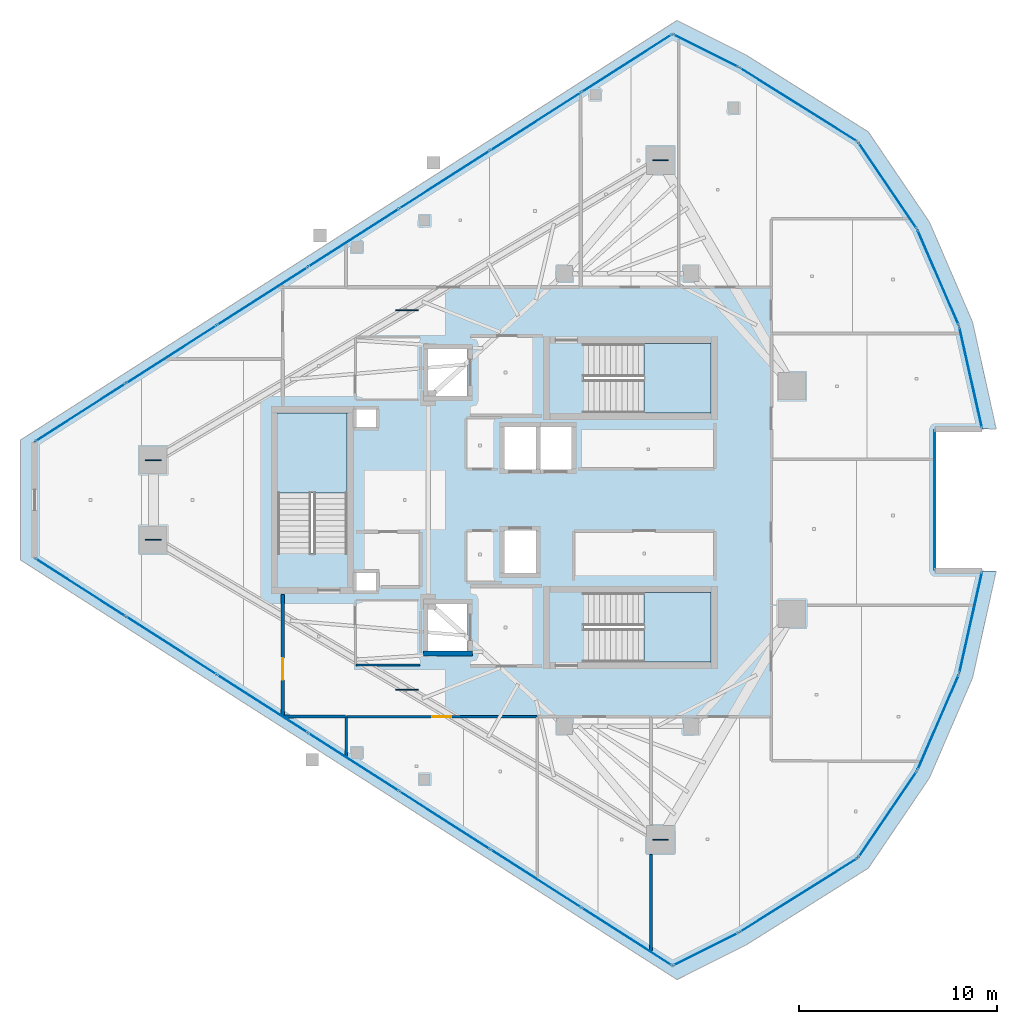
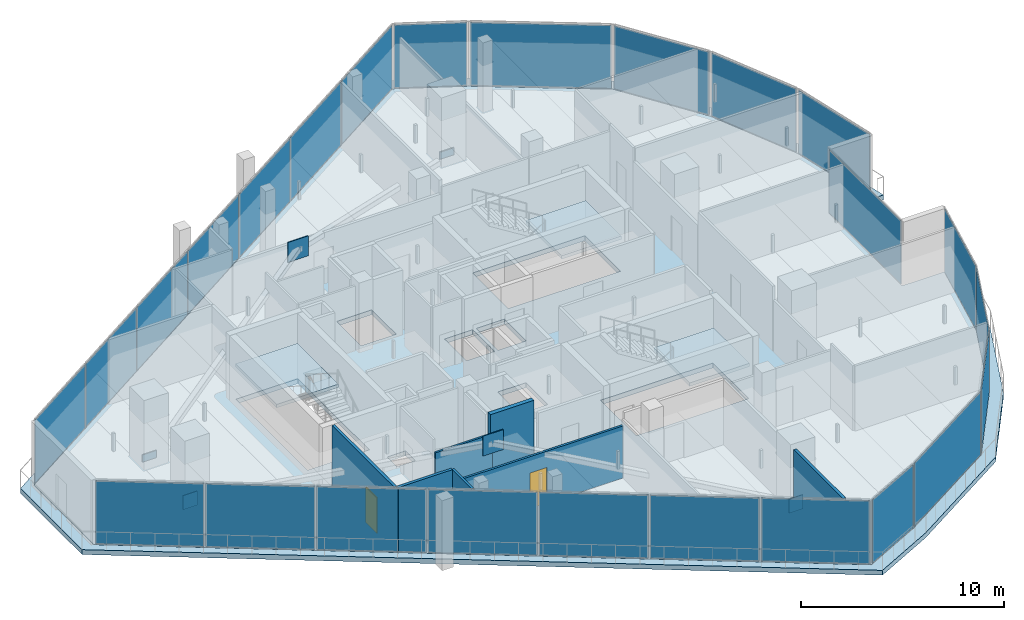
# One storey, part 20 of 30: 31 plates, 7 walls, 5 slabs, 2 doors, 2 openings, 16 elements without a shape of their own.
"""IFC4 building model written with IfcOpenShell, lengths in metres."""

from ifc_helpers import new_model, si_unit, direction, frame, frame_2d, origin, origin_2d, place, context, subcontext, project, spatial, polyline, rectangle, outline, extrude, material, layer, layer_set, type_object, element, fill, aggregate, save


model = new_model("IFC4")

# Units and contexts
model_context = context("Model", 3, precision=1e-05, world=origin(), true_north=direction((0.0, 1.0)))
body_context = subcontext(model_context, "Body", "Model", "MODEL_VIEW")
ifc_project = project(units=[si_unit("LENGTHUNIT", "METRE"), si_unit("AREAUNIT", "SQUARE_METRE"), si_unit("VOLUMEUNIT", "CUBIC_METRE"), si_unit("PLANEANGLEUNIT", "RADIAN"), si_unit("MASSUNIT", "GRAM", prefix="KILO")], contexts=[model_context])

# Site, building, storey
site_placement = place(None, origin())
site = spatial("IfcSite", under=ifc_project, at=site_placement, CompositionType="ELEMENT")
building_placement = place(site_placement, origin())
building = spatial("IfcBuilding", under=site, at=building_placement, Name="Qorvath Tower", CompositionType="ELEMENT")
storey_placement = place(building_placement, frame((0.0, 0.0, 289.199951171875)))
storey = spatial("IfcBuildingStorey", under=building, at=storey_placement, Name="L67", CompositionType="ELEMENT", Elevation=289.199951171875)

# Curtain wall, plates
ifc_material_1 = material(Name="Anodised aluminium and triple low-E glass", Category="aluminium")
ifc_layer_1 = layer(ifc_material_1, 0.179931640625)
ifc_layer_set_1 = layer_set([ifc_layer_1], Name="CW-SYS-5")
curtain_wall_type = type_object("IfcCurtainWallType", Name="CW-SYS-5", PredefinedType="NOTDEFINED", material=ifc_layer_set_1)
curtain_wall_1_placement = place(storey_placement, origin())
curtain_wall_1 = element("IfcCurtainWall", 1, at=curtain_wall_1_placement, inside=storey, type_object=curtain_wall_type, Name="Curtain Wall CW-5 CW-T-L67-2.1", PredefinedType="NOTDEFINED")
ifc_material_2 = material(Name="Acoustic laminated low-E glass", Category="glass")
ifc_layer_2 = layer(ifc_material_2, 0.0380859375)
ifc_layer_set_2 = layer_set([ifc_layer_2], Name="CWP-GLZ-38")
plate_type_1 = type_object("IfcPlateType", Name="CWP-GLZ-38", PredefinedType="CURTAIN_PANEL", material=ifc_layer_set_2)
plate_1_placement = place(storey_placement, frame((-48.08642578125, -4.428466796875, 0.06494140625), z_axis=(0.0, 0.0, 1.0), x_axis=(0.842601944042, -0.538536873294, 0.0)))
plate_1 = element("IfcPlate", 2, at=plate_1_placement, type_object=plate_type_1, Name="CW-5 panel 1.1", PredefinedType="CURTAIN_PANEL", context=body_context, shape_type="SweptSolid", body=[
    extrude(rectangle(XDim=5.357177734375, YDim=0.0380859375, at=origin_2d()), origin(), (0.0, 0.0, 1.0), 3.780029296875),
])
plate_2_placement = place(storey_placement, frame((-43.493408203125, -7.364013671875, 0.06494140625), z_axis=(0.0, 0.0, 1.0), x_axis=(0.842601944042, -0.538536873294, 0.0)))
plate_2 = element("IfcPlate", 3, at=plate_2_placement, type_object=plate_type_1, Name="CW-5 panel 2.1", PredefinedType="CURTAIN_PANEL", context=body_context, shape_type="SweptSolid", body=[
    extrude(rectangle(XDim=5.394775390625, YDim=0.0380859375, at=origin_2d()), origin(), (0.0, 0.0, 1.0), 3.780029296875),
])
plate_3_placement = place(storey_placement, frame((-38.884765625, -10.309814453125, 0.06494140625), z_axis=(0.0, 0.0, 1.0), x_axis=(0.842601944042, -0.538536873294, 0.0)))
plate_3 = element("IfcPlate", 4, at=plate_3_placement, type_object=plate_type_1, Name="CW-5 panel 3.1", PredefinedType="CURTAIN_PANEL", context=body_context, shape_type="SweptSolid", body=[
    extrude(rectangle(XDim=5.394775390625, YDim=0.0380859375, at=origin_2d()), origin(), (0.0, 0.0, 1.0), 3.780029296875),
])
plate_4_placement = place(storey_placement, frame((-34.27587890625, -13.25537109375, 0.06494140625), z_axis=(0.0, 0.0, 1.0), x_axis=(0.842601944042, -0.538536873294, 0.0)))
plate_4 = element("IfcPlate", 5, at=plate_4_placement, type_object=plate_type_1, Name="CW-5 panel 4.1", PredefinedType="CURTAIN_PANEL", context=body_context, shape_type="SweptSolid", body=[
    extrude(rectangle(XDim=5.394775390625, YDim=0.0380859375, at=origin_2d()), origin(), (0.0, 0.0, 1.0), 3.780029296875),
])
plate_5_placement = place(storey_placement, frame((-29.6669921875, -16.201171875, 0.06494140625), z_axis=(0.0, 0.0, 1.0), x_axis=(0.842601944042, -0.538536873294, 0.0)))
plate_5 = element("IfcPlate", 6, at=plate_5_placement, type_object=plate_type_1, Name="CW-5 panel 5.1", PredefinedType="CURTAIN_PANEL", context=body_context, shape_type="SweptSolid", body=[
    extrude(rectangle(XDim=5.394775390625, YDim=0.0380859375, at=origin_2d()), origin(), (0.0, 0.0, 1.0), 3.780029296875),
])
plate_6_placement = place(storey_placement, frame((-25.05810546875, -19.146728515625, 0.06494140625), z_axis=(0.0, 0.0, 1.0), x_axis=(0.842601944042, -0.538536873294, 0.0)))
plate_6 = element("IfcPlate", 7, at=plate_6_placement, type_object=plate_type_1, Name="CW-5 panel 6.1", PredefinedType="CURTAIN_PANEL", context=body_context, shape_type="SweptSolid", body=[
    extrude(rectangle(XDim=5.394775390625, YDim=0.0380859375, at=origin_2d()), origin(), (0.0, 0.0, 1.0), 3.780029296875),
])
plate_7_placement = place(storey_placement, frame((-20.465087890625, -22.082275390625, 0.06494140625), z_axis=(0.0, 0.0, 1.0), x_axis=(0.842601944042, -0.538536873294, 0.0)))
plate_7 = element("IfcPlate", 8, at=plate_7_placement, type_object=plate_type_1, Name="CW-5 panel 7.1", PredefinedType="CURTAIN_PANEL", context=body_context, shape_type="SweptSolid", body=[
    extrude(rectangle(XDim=5.357177734375, YDim=0.0380859375, at=origin_2d()), origin(), (0.0, 0.0, 1.0), 3.780029296875),
])
aggregate(curtain_wall_1, [plate_1, plate_2, plate_3, plate_4, plate_5, plate_6, plate_7])

# Curtain wall, plate
curtain_wall_2_placement = place(storey_placement, origin())
curtain_wall_2 = element("IfcCurtainWall", 9, at=curtain_wall_2_placement, inside=storey, type_object=curtain_wall_type, Name="Curtain Wall CW-5 CW-T-L67-3.1", PredefinedType="NOTDEFINED")
plate_8_placement = place(storey_placement, frame((-16.4619140625, -22.723388671875, 0.06494140625), z_axis=(0.0, 0.0, 1.0), x_axis=(0.894405935094, 0.447256104786, 0.0)))
plate_8 = element("IfcPlate", 10, at=plate_8_placement, type_object=plate_type_1, Name="CW-5 panel 1.1", PredefinedType="CURTAIN_PANEL", context=body_context, shape_type="SweptSolid", body=[
    extrude(rectangle(XDim=3.61376953125, YDim=0.0380859375, at=origin_2d()), origin(), (0.0, 0.0, 1.0), 3.780029296875),
])
aggregate(curtain_wall_2, [plate_8])

curtain_wall_3_placement = place(storey_placement, origin())
curtain_wall_3 = element("IfcCurtainWall", 11, at=curtain_wall_3_placement, inside=storey, type_object=curtain_wall_type, Name="Curtain Wall CW-5 CW-T-L67-4.1", PredefinedType="NOTDEFINED")
plate_9_placement = place(storey_placement, frame((-11.77099609375, -19.9951171875, 0.06494140625), z_axis=(0.0, 0.0, 1.0), x_axis=(0.847117347147, 0.531405871405, 0.0)))
plate_9 = element("IfcPlate", 12, at=plate_9_placement, type_object=plate_type_1, Name="CW-5 panel 1.1", PredefinedType="CURTAIN_PANEL", context=body_context, shape_type="SweptSolid", body=[
    extrude(rectangle(XDim=6.95068359375, YDim=0.0380859375, at=origin_2d()), origin(), (0.0, 0.0, 1.0), 3.780029296875),
])
aggregate(curtain_wall_3, [plate_9])

curtain_wall_4_placement = place(storey_placement, origin())
curtain_wall_4 = element("IfcCurtainWall", 13, at=curtain_wall_4_placement, inside=storey, type_object=curtain_wall_type, Name="Curtain Wall CW-5 CW-T-L67-5.1", PredefinedType="NOTDEFINED")
plate_10_placement = place(storey_placement, frame((-7.26513671875, -15.90283203125, 0.06494140625), z_axis=(0.0, 0.0, 1.0), x_axis=(0.561949374723, 0.82717162684, 0.0)))
plate_10 = element("IfcPlate", 14, at=plate_10_placement, type_object=plate_type_1, Name="CW-5 panel 1.1", PredefinedType="CURTAIN_PANEL", context=body_context, shape_type="SweptSolid", body=[
    extrude(rectangle(XDim=5.1826171875, YDim=0.0380859375, at=origin_2d()), origin(), (0.0, 0.0, 1.0), 3.780029296875),
])
aggregate(curtain_wall_4, [plate_10])

curtain_wall_5_placement = place(storey_placement, origin())
curtain_wall_5 = element("IfcCurtainWall", 15, at=curtain_wall_5_placement, inside=storey, type_object=curtain_wall_type, Name="Curtain Wall CW-5 CW-T-L67-6.1", PredefinedType="NOTDEFINED")
plate_11_placement = place(storey_placement, frame((-4.706787109375, -11.251220703125, 0.06494140625), z_axis=(0.0, 0.0, 1.0), x_axis=(0.397589543814, 0.917563379091, 0.0)))
plate_11 = element("IfcPlate", 16, at=plate_11_placement, type_object=plate_type_1, Name="CW-5 panel 1.1", PredefinedType="CURTAIN_PANEL", context=body_context, shape_type="SweptSolid", body=[
    extrude(rectangle(XDim=5.182373046875, YDim=0.0380859375, at=origin_2d()), origin(), (0.0, 0.0, 1.0), 3.780029296875),
])
aggregate(curtain_wall_5, [plate_11])

curtain_wall_6_placement = place(storey_placement, origin())
curtain_wall_6 = element("IfcCurtainWall", 17, at=curtain_wall_6_placement, inside=storey, type_object=curtain_wall_type, Name="Curtain Wall CW-5 CW-T-L67-7.1", PredefinedType="NOTDEFINED")
plate_12_placement = place(storey_placement, frame((-3.062255859375, -6.203369140625, 0.06494140625), z_axis=(0.0, 0.0, 1.0), x_axis=(0.21919937986, 0.975680086847, 0.0)))
plate_12 = element("IfcPlate", 18, at=plate_12_placement, type_object=plate_type_1, Name="CW-5 panel 1.1", PredefinedType="CURTAIN_PANEL", context=body_context, shape_type="SweptSolid", body=[
    extrude(rectangle(XDim=5.1826171875, YDim=0.0380859375, at=origin_2d()), origin(), (0.0, 0.0, 1.0), 3.780029296875),
])
aggregate(curtain_wall_6, [plate_12])

curtain_wall_7_placement = place(storey_placement, origin())
curtain_wall_7 = element("IfcCurtainWall", 19, at=curtain_wall_7_placement, inside=storey, type_object=curtain_wall_type, Name="Curtain Wall CW-5 CW-T-L67-9.1", PredefinedType="NOTDEFINED")
plate_13_placement = place(storey_placement, frame((-4.879150390625, 0.0, 0.06494140625), z_axis=(0.0, 0.0, 1.0), x_axis=(0.0, 1.0, 0.0)))
plate_13 = element("IfcPlate", 20, at=plate_13_placement, type_object=plate_type_1, Name="CW-5 panel 1.1", PredefinedType="CURTAIN_PANEL", context=body_context, shape_type="SweptSolid", body=[
    extrude(rectangle(XDim=7.0537109375, YDim=0.0380859375, at=origin_2d()), origin(), (0.0, 0.0, 1.0), 3.780029296875),
])
aggregate(curtain_wall_7, [plate_13])

curtain_wall_8_placement = place(storey_placement, origin())
curtain_wall_8 = element("IfcCurtainWall", 21, at=curtain_wall_8_placement, inside=storey, type_object=curtain_wall_type, Name="Curtain Wall CW-5 CW-T-L67-11.1", PredefinedType="NOTDEFINED")
plate_14_placement = place(storey_placement, frame((-3.062255859375, 6.203369140625, 0.06494140625), z_axis=(0.0, 0.0, 1.0), x_axis=(-0.21919937986, 0.975680086847, 0.0)))
plate_14 = element("IfcPlate", 22, at=plate_14_placement, type_object=plate_type_1, Name="CW-5 panel 1.1", PredefinedType="CURTAIN_PANEL", context=body_context, shape_type="SweptSolid", body=[
    extrude(rectangle(XDim=5.1826171875, YDim=0.0380859375, at=origin_2d()), origin(), (0.0, 0.0, 1.0), 3.780029296875),
])
aggregate(curtain_wall_8, [plate_14])

curtain_wall_9_placement = place(storey_placement, origin())
curtain_wall_9 = element("IfcCurtainWall", 23, at=curtain_wall_9_placement, inside=storey, type_object=curtain_wall_type, Name="Curtain Wall CW-5 CW-T-L67-12.1", PredefinedType="NOTDEFINED")
plate_15_placement = place(storey_placement, frame((-4.706787109375, 11.251220703125, 0.06494140625), z_axis=(0.0, 0.0, 1.0), x_axis=(-0.397589543814, 0.917563379091, 0.0)))
plate_15 = element("IfcPlate", 24, at=plate_15_placement, type_object=plate_type_1, Name="CW-5 panel 1.1", PredefinedType="CURTAIN_PANEL", context=body_context, shape_type="SweptSolid", body=[
    extrude(rectangle(XDim=5.182373046875, YDim=0.0380859375, at=origin_2d()), origin(), (0.0, 0.0, 1.0), 3.780029296875),
])
aggregate(curtain_wall_9, [plate_15])

curtain_wall_10_placement = place(storey_placement, origin())
curtain_wall_10 = element("IfcCurtainWall", 25, at=curtain_wall_10_placement, inside=storey, type_object=curtain_wall_type, Name="Curtain Wall CW-5 CW-T-L67-13.1", PredefinedType="NOTDEFINED")
plate_16_placement = place(storey_placement, frame((-7.26513671875, 15.90283203125, 0.06494140625), z_axis=(0.0, 0.0, 1.0), x_axis=(-0.561949374723, 0.82717162684, 0.0)))
plate_16 = element("IfcPlate", 26, at=plate_16_placement, type_object=plate_type_1, Name="CW-5 panel 1.1", PredefinedType="CURTAIN_PANEL", context=body_context, shape_type="SweptSolid", body=[
    extrude(rectangle(XDim=5.1826171875, YDim=0.0380859375, at=origin_2d()), origin(), (0.0, 0.0, 1.0), 3.780029296875),
])
aggregate(curtain_wall_10, [plate_16])

curtain_wall_11_placement = place(storey_placement, origin())
curtain_wall_11 = element("IfcCurtainWall", 27, at=curtain_wall_11_placement, inside=storey, type_object=curtain_wall_type, Name="Curtain Wall CW-5 CW-T-L67-14.1", PredefinedType="NOTDEFINED")
plate_17_placement = place(storey_placement, frame((-11.77099609375, 19.9951171875, 0.06494140625), z_axis=(0.0, 0.0, 1.0), x_axis=(-0.847117347147, 0.531405871405, 0.0)))
plate_17 = element("IfcPlate", 28, at=plate_17_placement, type_object=plate_type_1, Name="CW-5 panel 1.1", PredefinedType="CURTAIN_PANEL", context=body_context, shape_type="SweptSolid", body=[
    extrude(rectangle(XDim=6.95068359375, YDim=0.0380859375, at=origin_2d()), origin(), (0.0, 0.0, 1.0), 3.780029296875),
])
aggregate(curtain_wall_11, [plate_17])

curtain_wall_12_placement = place(storey_placement, origin())
curtain_wall_12 = element("IfcCurtainWall", 29, at=curtain_wall_12_placement, inside=storey, type_object=curtain_wall_type, Name="Curtain Wall CW-5 CW-T-L67-15.1", PredefinedType="NOTDEFINED")
plate_18_placement = place(storey_placement, frame((-16.4619140625, 22.723388671875, 0.06494140625), z_axis=(0.0, 0.0, 1.0), x_axis=(-0.894405935094, 0.447256104786, 0.0)))
plate_18 = element("IfcPlate", 30, at=plate_18_placement, type_object=plate_type_1, Name="CW-5 panel 1.1", PredefinedType="CURTAIN_PANEL", context=body_context, shape_type="SweptSolid", body=[
    extrude(rectangle(XDim=3.61376953125, YDim=0.0380859375, at=origin_2d()), origin(), (0.0, 0.0, 1.0), 3.780029296875),
])
aggregate(curtain_wall_12, [plate_18])

# Curtain wall, plates
curtain_wall_13_placement = place(storey_placement, origin())
curtain_wall_13 = element("IfcCurtainWall", 31, at=curtain_wall_13_placement, inside=storey, type_object=curtain_wall_type, Name="Curtain Wall CW-5 CW-T-L67-16.1", PredefinedType="NOTDEFINED")
plate_19_placement = place(storey_placement, frame((-20.465087890625, 22.082275390625, 0.06494140625), z_axis=(0.0, 0.0, 1.0), x_axis=(-0.842601944042, -0.538536873294, 0.0)))
plate_19 = element("IfcPlate", 32, at=plate_19_placement, type_object=plate_type_1, Name="CW-5 panel 1.1", PredefinedType="CURTAIN_PANEL", context=body_context, shape_type="SweptSolid", body=[
    extrude(rectangle(XDim=5.357177734375, YDim=0.0380859375, at=origin_2d()), origin(), (0.0, 0.0, 1.0), 3.780029296875),
])
plate_20_placement = place(storey_placement, frame((-25.05810546875, 19.146728515625, 0.06494140625), z_axis=(0.0, 0.0, 1.0), x_axis=(-0.842601944042, -0.538536873294, 0.0)))
plate_20 = element("IfcPlate", 33, at=plate_20_placement, type_object=plate_type_1, Name="CW-5 panel 2.1", PredefinedType="CURTAIN_PANEL", context=body_context, shape_type="SweptSolid", body=[
    extrude(rectangle(XDim=5.394775390625, YDim=0.0380859375, at=origin_2d()), origin(), (0.0, 0.0, 1.0), 3.780029296875),
])
plate_21_placement = place(storey_placement, frame((-29.6669921875, 16.201171875, 0.06494140625), z_axis=(0.0, 0.0, 1.0), x_axis=(-0.842601944042, -0.538536873294, 0.0)))
plate_21 = element("IfcPlate", 34, at=plate_21_placement, type_object=plate_type_1, Name="CW-5 panel 3.1", PredefinedType="CURTAIN_PANEL", context=body_context, shape_type="SweptSolid", body=[
    extrude(rectangle(XDim=5.394775390625, YDim=0.0380859375, at=origin_2d()), origin(), (0.0, 0.0, 1.0), 3.780029296875),
])
plate_22_placement = place(storey_placement, frame((-34.27587890625, 13.25537109375, 0.06494140625), z_axis=(0.0, 0.0, 1.0), x_axis=(-0.842601944042, -0.538536873294, 0.0)))
plate_22 = element("IfcPlate", 35, at=plate_22_placement, type_object=plate_type_1, Name="CW-5 panel 4.1", PredefinedType="CURTAIN_PANEL", context=body_context, shape_type="SweptSolid", body=[
    extrude(rectangle(XDim=5.394775390625, YDim=0.0380859375, at=origin_2d()), origin(), (0.0, 0.0, 1.0), 3.780029296875),
])
plate_23_placement = place(storey_placement, frame((-38.884765625, 10.309814453125, 0.06494140625), z_axis=(0.0, 0.0, 1.0), x_axis=(-0.842601944042, -0.538536873294, 0.0)))
plate_23 = element("IfcPlate", 36, at=plate_23_placement, type_object=plate_type_1, Name="CW-5 panel 5.1", PredefinedType="CURTAIN_PANEL", context=body_context, shape_type="SweptSolid", body=[
    extrude(rectangle(XDim=5.394775390625, YDim=0.0380859375, at=origin_2d()), origin(), (0.0, 0.0, 1.0), 3.780029296875),
])
plate_24_placement = place(storey_placement, frame((-43.493408203125, 7.364013671875, 0.06494140625), z_axis=(0.0, 0.0, 1.0), x_axis=(-0.842601944042, -0.538536873294, 0.0)))
plate_24 = element("IfcPlate", 37, at=plate_24_placement, type_object=plate_type_1, Name="CW-5 panel 6.1", PredefinedType="CURTAIN_PANEL", context=body_context, shape_type="SweptSolid", body=[
    extrude(rectangle(XDim=5.394775390625, YDim=0.0380859375, at=origin_2d()), origin(), (0.0, 0.0, 1.0), 3.780029296875),
])
plate_25_placement = place(storey_placement, frame((-48.08642578125, 4.428466796875, 0.06494140625), z_axis=(0.0, 0.0, 1.0), x_axis=(-0.842601944042, -0.538536873294, 0.0)))
plate_25 = element("IfcPlate", 38, at=plate_25_placement, type_object=plate_type_1, Name="CW-5 panel 7.1", PredefinedType="CURTAIN_PANEL", context=body_context, shape_type="SweptSolid", body=[
    extrude(rectangle(XDim=5.357177734375, YDim=0.0380859375, at=origin_2d()), origin(), (0.0, 0.0, 1.0), 3.780029296875),
])
aggregate(curtain_wall_13, [plate_19, plate_20, plate_21, plate_22, plate_23, plate_24, plate_25])

# Plates
ifc_material_3 = material(Name="Steel ASTM A572 Grade 50", Category="steel")
ifc_layer_3 = layer(ifc_material_3, 0.054931640625)
ifc_layer_set_3 = layer_set([ifc_layer_3], Name="PL-MBN1")
plate_type_2 = type_object("IfcPlateType", Name="PL-MBN1", PredefinedType="USERDEFINED", material=ifc_layer_set_3)
for number, where, z_axis, x_axis, name in (
    (39, (-31.57666015625, 9.591552734375, 2.9599609375), (0.0, 0.0, 1.0), (1.0, 0.0, 0.0), "Mega-Brace Chevron Apex Gusset L67-1"),
    (40, (-31.57666015625, -9.591552734375, 2.9599609375), (0.0, 0.0, 1.0), (1.0, 0.0, 0.0), "Mega-Brace Chevron Apex Gusset L67-2"),
):
    element("IfcPlate", number, at=place(storey_placement, frame(where, z_axis=z_axis, x_axis=x_axis)), inside=storey, type_object=plate_type_2, Name=name, ObjectType="GUSSET", PredefinedType="USERDEFINED", context=body_context, shape_type="SweptSolid", body=[
        extrude(rectangle(XDim=1.14990234375, YDim=0.054931640625, at=origin_2d()), origin(), (0.0, 0.0, 1.0), 1.199951171875),
    ])
for number, where, z_axis, x_axis, name in (
    (41, (-18.75048828125, 17.175537109375, -0.425048828125), (0.0, 0.0, 1.0), (1.0, 0.0, 0.0), "Brace Strut End Gusset Plate NDBG-117"),
    (42, (-44.402587890625, 2.007568359375, -0.425048828125), (0.0, 0.0, 1.0), (1.0, 0.0, 0.0), "Brace Strut End Gusset Plate NDBG-118"),
    (43, (-44.402587890625, -2.007568359375, -0.425048828125), (0.0, 0.0, 1.0), (1.0, 0.0, 0.0), "Brace Strut End Gusset Plate NDBG-119"),
    (44, (-18.75048828125, -17.175537109375, -0.425048828125), (0.0, 0.0, 1.0), (1.0, 0.0, 0.0), "Brace Strut End Gusset Plate NDBG-120"),
):
    element("IfcPlate", number, at=place(storey_placement, frame(where, z_axis=z_axis, x_axis=x_axis)), inside=storey, type_object=plate_type_2, Name=name, ObjectType="GUSSET", PredefinedType="USERDEFINED", context=body_context, shape_type="SweptSolid", body=[
        extrude(rectangle(XDim=0.800048828125, YDim=0.054931640625, at=origin_2d()), origin(), (0.0, 0.0, 1.0), 0.85009765625),
    ])

# Slab
ifc_material_4 = material(Name="Concrete C50/60", Category="concrete")
ifc_layer_4 = layer(ifc_material_4, 0.2900390625)
ifc_layer_set_4 = layer_set([ifc_layer_4], Name="SL-EXEC-290")
slab_type_1 = type_object("IfcSlabType", Name="SL-EXEC-290", PredefinedType="FLOOR", material=ifc_layer_set_4)
slab_1_placement = place(storey_placement, frame((0.0, 0.0, -0.2900390625)))
element("IfcSlab", 45, at=slab_1_placement, inside=storey, type_object=slab_type_1, Name="Tower L67 Interior Floor Slab", PredefinedType="FLOOR", context=body_context, shape_type="SweptSolid", body=[
    extrude(outline(polyline([(-50.40673828125, 2.945556640625), (-50.40673828125, -2.945556640625), (-18.14501953125, -23.565185546875), (-14.778564453125, -21.8818359375), (-8.763427734375, -18.1083984375), (-5.766845703125, -13.697509765625), (-3.646728515625, -8.8046875), (-2.477783203125, -3.601806640625), (-4.879150390625, -3.601806640625), (-4.879150390625, 3.601806640625), (-2.477783203125, 3.601806640625), (-3.646728515625, 8.8046875), (-5.766845703125, 13.697509765625), (-8.763427734375, 18.1083984375), (-14.778564453125, 21.8818359375), (-18.14501953125, 23.565185546875), (-50.40673828125, 2.945556640625)]), holes=[polyline([(-16.2451171875, -8.199951171875), (-22.625, -8.199951171875), (-22.625, -4.68994140625), (-16.2451171875, -4.68994140625), (-16.2451171875, -8.199951171875)]), polyline([(-22.625, 4.39990234375), (-22.625, 7.909912109375), (-16.2451171875, 7.909912109375), (-16.2451171875, 4.39990234375), (-22.625, 4.39990234375)]), polyline([(-23.25, 1.550048828125), (-24.85009765625, 1.550048828125), (-24.85009765625, 3.699951171875), (-23.25, 3.699951171875), (-23.25, 1.550048828125)]), polyline([(-26.64990234375, -3.699951171875), (-26.64990234375, -1.550048828125), (-25.050048828125, -1.550048828125), (-25.050048828125, -3.699951171875), (-26.64990234375, -3.699951171875)]), polyline([(-25.050048828125, 1.550048828125), (-26.64990234375, 1.550048828125), (-26.64990234375, 3.699951171875), (-25.050048828125, 3.699951171875), (-25.050048828125, 1.550048828125)]), polyline([(-28.5, -7.64990234375), (-30.5, -7.64990234375), (-30.5, -5.25), (-28.5, -5.25), (-28.5, -7.64990234375)]), polyline([(-30.5, 5.25), (-30.5, 7.64990234375), (-28.5, 7.64990234375), (-28.5, 5.25), (-30.5, 5.25)]), polyline([(-33.10009765625, -4.6201171875), (-34.14990234375, -4.6201171875), (-34.14990234375, -3.64990234375), (-33.10009765625, -3.64990234375), (-33.10009765625, -4.6201171875)]), polyline([(-33.10009765625, 3.64990234375), (-34.14990234375, 3.64990234375), (-34.14990234375, 4.6201171875), (-33.10009765625, 4.6201171875), (-33.10009765625, 3.64990234375)]), polyline([(-34.60009765625, -2.675048828125), (-38.110107421875, -2.675048828125), (-38.110107421875, 4.35498046875), (-34.60009765625, 4.35498046875), (-34.60009765625, -2.675048828125)])]), origin(), (0.0, 0.0, 1.0), 0.2900390625),
])

# Stair, slab
ifc_material_5 = material(Name="Concrete C50/60", Category="concrete")
stair_type = type_object("IfcStairType", Name="ST-H420", PredefinedType="HALF_TURN_STAIR", material=ifc_material_5)
stair_1_placement = place(storey_placement, origin())
stair_1 = element("IfcStair", 46, at=stair_1_placement, inside=storey, type_object=stair_type, Name="L67 Tower Exit Stair 1", PredefinedType="HALF_TURN_STAIR")
ifc_material_6 = material(Name="Concrete C50/60", Category="concrete")
ifc_layer_5 = layer(ifc_material_6, 0.199951171875)
ifc_layer_set_5 = layer_set([ifc_layer_5], Name="SL-LND-200")
slab_type_2 = type_object("IfcSlabType", Name="SL-LND-200", PredefinedType="LANDING", material=ifc_layer_set_5)
slab_2_placement = place(storey_placement, frame((0.0, 0.0, 1.900146484375)))
slab_2 = element("IfcSlab", 47, at=slab_2_placement, type_object=slab_type_2, Name="TS1 landing 1", PredefinedType="LANDING", context=body_context, shape_type="SweptSolid", body=[
    extrude(outline(polyline([(-19.590087890625, 4.39990234375), (-16.199951171875, 4.39990234375), (-16.199951171875, 7.909912109375), (-19.590087890625, 7.909912109375), (-19.590087890625, 4.39990234375)])), origin(), (0.0, 0.0, 1.0), 0.199951171875),
])
aggregate(stair_1, [slab_2])

stair_2_placement = place(storey_placement, origin())
stair_2 = element("IfcStair", 48, at=stair_2_placement, inside=storey, type_object=stair_type, Name="L67 Tower Exit Stair 2", PredefinedType="HALF_TURN_STAIR")
slab_3_placement = place(storey_placement, frame((0.0, 0.0, 1.900146484375)))
slab_3 = element("IfcSlab", 49, at=slab_3_placement, type_object=slab_type_2, Name="TS2 landing 1", PredefinedType="LANDING", context=body_context, shape_type="SweptSolid", body=[
    extrude(outline(polyline([(-19.590087890625, -8.199951171875), (-16.199951171875, -8.199951171875), (-16.199951171875, -4.68994140625), (-19.590087890625, -4.68994140625), (-19.590087890625, -8.199951171875)])), origin(), (0.0, 0.0, 1.0), 0.199951171875),
])
aggregate(stair_2, [slab_3])

stair_3_placement = place(storey_placement, origin())
stair_3 = element("IfcStair", 50, at=stair_3_placement, inside=storey, type_object=stair_type, Name="L67 Tower Exit Stair 3", PredefinedType="HALF_TURN_STAIR")
slab_4_placement = place(storey_placement, frame((0.0, 0.0, 1.900146484375)))
slab_4 = element("IfcSlab", 51, at=slab_4_placement, type_object=slab_type_2, Name="TS3 landing 1", PredefinedType="LANDING", context=body_context, shape_type="SweptSolid", body=[
    extrude(outline(polyline([(-34.60009765625, 0.360107421875), (-34.60009765625, 4.39990234375), (-38.110107421875, 4.39990234375), (-38.110107421875, 0.360107421875), (-34.60009765625, 0.360107421875)])), origin(), (0.0, 0.0, 1.0), 0.199951171875),
])
aggregate(stair_3, [slab_4])

# Slab
ifc_material_7 = material(Name="Precast concrete C45/55", Category="concrete")
ifc_layer_6 = layer(ifc_material_7, 0.2900390625)
ifc_layer_set_6 = layer_set([ifc_layer_6], Name="SL-LOG-290")
slab_type_3 = type_object("IfcSlabType", Name="SL-LOG-290", PredefinedType="FLOOR", material=ifc_layer_set_6)
slab_5_placement = place(storey_placement, frame((0.0, 0.0, -0.2900390625)))
element("IfcSlab", 52, at=slab_5_placement, inside=storey, type_object=slab_type_3, Name="Tower L67 Perimeter Loggia and Terrace Slab", PredefinedType="FLOOR", context=body_context, shape_type="SweptSolid", body=[
    extrude(outline(polyline([(-2.477783203125, -3.601806640625), (-3.646728515625, -8.8046875), (-5.766845703125, -13.697509765625), (-8.763427734375, -18.1083984375), (-14.778564453125, -21.8818359375), (-18.14501953125, -23.565185546875), (-50.40673828125, -2.945556640625), (-50.40673828125, 2.945556640625), (-18.14501953125, 23.565185546875), (-14.778564453125, 21.8818359375), (-8.763427734375, 18.1083984375), (-5.766845703125, 13.697509765625), (-3.646728515625, 8.8046875), (-2.477783203125, 3.601806640625), (-1.774169921875, 3.601806640625), (-2.9658203125, 8.987060546875), (-5.147216796875, 14.052978515625), (-8.240478515625, 18.619384765625), (-14.44921875, 22.524169921875), (-17.914306640625, 24.2568359375), (-51.123046875, 3.031982421875), (-51.123046875, -3.031982421875), (-17.914306640625, -24.2568359375), (-14.44921875, -22.524169921875), (-8.240478515625, -18.619384765625), (-5.147216796875, -14.052978515625), (-2.9658203125, -8.987060546875), (-1.774169921875, -3.601806640625), (-2.477783203125, -3.601806640625)])), origin(), (0.0, 0.0, 1.0), 0.2900390625),
])

# Walls
ifc_material_8 = material(Name="Double acoustic gypsum board on steel studs", Category="steel")
ifc_layer_7 = layer(ifc_material_8, 0.159912109375)
ifc_layer_set_7 = layer_set([ifc_layer_7], Name="IW-ACOUSTIC-160")
wall_type_1 = type_object("IfcWallType", Name="IW-ACOUSTIC-160", PredefinedType="PARTITIONING", material=ifc_layer_set_7)
wall_1_placement = place(storey_placement, frame((-19.232666015625, -22.789794921875, 0.0), z_axis=(0.0, 0.0, 1.0), x_axis=(0.0, 1.0, 0.0)))
element("IfcWall", 53, at=wall_1_placement, inside=storey, type_object=wall_type_1, Name="Interior Partition IW-T1-L67-039", PredefinedType="PARTITIONING", context=body_context, shape_type="SweptSolid", body=[
    extrude(rectangle(XDim=4.84912109375, YDim=0.159912109375, at=frame_2d((2.424560546875, 0.0))), origin(), (0.0, 0.0, 1.0), 3.91015625),
])
wall_2_placement = place(storey_placement, frame((-37.790283203125, -10.9580078125, 0.0), z_axis=(0.0, 0.0, 1.0), x_axis=(1.0, 0.0, 0.0)))
element("IfcWall", 54, at=wall_2_placement, inside=storey, type_object=wall_type_1, Name="Interior Partition IW-T1-L67-051", PredefinedType="PARTITIONING", context=body_context, shape_type="SweptSolid", body=[
    extrude(rectangle(XDim=3.107177734375, YDim=0.159912109375, at=frame_2d((1.5537109375, 0.0))), origin(), (0.0, 0.0, 1.0), 3.91015625),
])

# Wall, opening, door
wall_3_placement = place(storey_placement, frame((-37.85791015625, -10.885986328125, 0.0), z_axis=(0.0, 0.0, 1.0), x_axis=(0.0, 1.0, 0.0)))
wall_3 = element("IfcWall", 55, at=wall_3_placement, inside=storey, type_object=wall_type_1, Name="Interior Partition IW-T1-L67-052", PredefinedType="PARTITIONING", context=body_context, shape_type="SweptSolid", body=[
    extrude(rectangle(XDim=6.102783203125, YDim=0.159912109375, at=frame_2d((3.05126953125, 0.0))), origin(), (0.0, 0.0, 1.0), 3.91015625),
])
opening_1_placement = place(wall_3_placement, frame((1.78662109375, 0.0, 0.0)))
opening_1 = element("IfcOpeningElement", 56, at=opening_1_placement, cuts=wall_3, Name="Opening D-T1-L67-18", PredefinedType="OPENING", context=body_context, shape_type="SweptSolid", body=[
    extrude(rectangle(XDim=1.10009765625, YDim=2.14990234375, at=frame_2d((0.550048828125, 1.074951171875))), frame((0.0, 0.08984375, 0.0), z_axis=(0.0, -1.0, 0.0), x_axis=(1.0, 0.0, 0.0)), (0.0, 0.0, 1.0), 0.179931640625),
])
ifc_material_9 = material(Name="Anodised aluminium acoustic framed glass", Category="aluminium")
door_type_1 = type_object("IfcDoorType", Name="D-03", OperationType="NOTDEFINED", PredefinedType="DOOR", material=ifc_material_9)
door_1_placement = place(opening_1_placement, origin())
door_1 = element("IfcDoor", 57, at=door_1_placement, inside=storey, type_object=door_type_1, Name="L67-11 Client Services Office Door D-T1-L67-18", OperationType="SINGLE_SWING_RIGHT", OverallHeight=2.14990234375, OverallWidth=1.10009765625, PredefinedType="DOOR", context=body_context, shape_type="SweptSolid", body=[
    extrude(rectangle(XDim=1.10009765625, YDim=2.14990234375, at=frame_2d((0.550048828125, 1.074951171875))), frame((0.0, 0.02490234375, 0.0), z_axis=(0.0, -1.0, 0.0), x_axis=(1.0, 0.0, 0.0)), (0.0, 0.0, 1.0), 0.050048828125),
])
fill(opening_1, door_1)

ifc_material_10 = material(Name="Gypsum board on metal studs with mineral wool", Category="gypsum")
ifc_layer_8 = layer(ifc_material_10, 0.125)
ifc_layer_set_8 = layer_set([ifc_layer_8], Name="IW-PART-125")
wall_type_2 = type_object("IfcWallType", Name="IW-PART-125", PredefinedType="PARTITIONING", material=ifc_layer_set_8)
wall_4_placement = place(storey_placement, frame((-24.9990234375, -10.9580078125, 0.0), z_axis=(0.0, 0.0, 1.0), x_axis=(-1.0, 0.0, 0.0)))
wall_4 = element("IfcWall", 58, at=wall_4_placement, inside=storey, type_object=wall_type_2, Name="Interior Partition IW-T1-L67-035", PredefinedType="PARTITIONING", context=body_context, shape_type="SweptSolid", body=[
    extrude(rectangle(XDim=9.6259765625, YDim=0.125, at=frame_2d((4.81298828125, 0.0))), origin(), (0.0, 0.0, 1.0), 3.130126953125),
])
opening_2_placement = place(wall_4_placement, frame((4.337890625, 0.0, 0.0)))
opening_2 = element("IfcOpeningElement", 59, at=opening_2_placement, cuts=wall_4, Name="Opening D-T1-L67-11", PredefinedType="OPENING", context=body_context, shape_type="SweptSolid", body=[
    extrude(rectangle(XDim=0.949951171875, YDim=2.14990234375, at=frame_2d((0.47509765625, 1.074951171875))), frame((0.0, 0.072509765625, 0.0), z_axis=(0.0, -1.0, 0.0), x_axis=(1.0, 0.0, 0.0)), (0.0, 0.0, 1.0), 0.14501953125),
])
ifc_material_11 = material(Name="Solid-core American white oak veneer", Category="wood")
door_type_2 = type_object("IfcDoorType", Name="D-01", OperationType="NOTDEFINED", PredefinedType="DOOR", material=ifc_material_11)
door_2_placement = place(opening_2_placement, origin())
door_2 = element("IfcDoor", 60, at=door_2_placement, inside=storey, type_object=door_type_2, Name="L67-04 Executive Partner Office Door D-T1-L67-11", OperationType="SINGLE_SWING_LEFT", OverallHeight=2.14990234375, OverallWidth=0.949951171875, PredefinedType="DOOR", context=body_context, shape_type="SweptSolid", body=[
    extrude(rectangle(XDim=0.949951171875, YDim=2.14990234375, at=frame_2d((0.47509765625, 1.074951171875))), frame((0.0, 0.02490234375, 0.0), z_axis=(0.0, -1.0, 0.0), x_axis=(1.0, 0.0, 0.0)), (0.0, 0.0, 1.0), 0.050048828125),
])
fill(opening_2, door_2)

# Walls
wall_5_placement = place(storey_placement, frame((-34.64990234375, -10.98291015625, 0.0), z_axis=(0.0, 0.0, 1.0), x_axis=(0.0, -1.0, 0.0)))
element("IfcWall", 61, at=wall_5_placement, inside=storey, type_object=wall_type_2, Name="Interior Partition IW-T1-L67-036", PredefinedType="PARTITIONING", context=body_context, shape_type="SweptSolid", body=[
    extrude(rectangle(XDim=1.953369140625, YDim=0.125, at=frame_2d((0.9765625, 0.0))), origin(), (0.0, 0.0, 1.0), 3.91015625),
])
ifc_material_12 = material(Name="Moisture-resistant cement board on metal studs", Category="gypsum")
ifc_layer_9 = layer(ifc_material_12, 0.110107421875)
ifc_layer_set_9 = layer_set([ifc_layer_9], Name="IW-WC-110")
wall_type_3 = type_object("IfcWallType", Name="IW-WC-110", PredefinedType="PARTITIONING", material=ifc_layer_set_9)
wall_6_placement = place(storey_placement, frame((-34.15478515625, -8.35009765625, 0.0), z_axis=(0.0, 0.0, 1.0), x_axis=(1.0, 0.0, 0.0)))
element("IfcWall", 62, at=wall_6_placement, inside=storey, type_object=wall_type_3, Name="Interior Partition IW-T1-L67-009", PredefinedType="PARTITIONING", context=body_context, shape_type="SweptSolid", body=[
    extrude(rectangle(XDim=3.25, YDim=0.110107421875, at=frame_2d((1.625, 0.0))), origin(), (0.0, 0.0, 1.0), 3.130126953125),
])
ifc_material_13 = material(Name="Concrete C60/75", Category="concrete")
ifc_layer_10 = layer(ifc_material_13, 0.260009765625)
ifc_layer_set_10 = layer_set([ifc_layer_10], Name="SW-SHAFT")
wall_type_4 = type_object("IfcWallType", Name="SW-SHAFT", PredefinedType="SHEAR", material=ifc_layer_set_10)
wall_7_placement = place(storey_placement, frame((-28.260009765625, -7.77001953125, 0.0), z_axis=(0.0, 0.0, 1.0), x_axis=(-1.0, 0.0, 0.0)))
element("IfcWall", 63, at=wall_7_placement, inside=storey, type_object=wall_type_4, Name="Hoistway Wall FSAE-2 L67 S", PredefinedType="SHEAR", context=body_context, shape_type="SweptSolid", body=[
    extrude(rectangle(XDim=2.47998046875, YDim=0.239990234375, at=frame_2d((1.239990234375, 0.0))), origin(), (0.0, 0.0, 1.0), 3.91015625),
])

save(model, "model.ifc")
